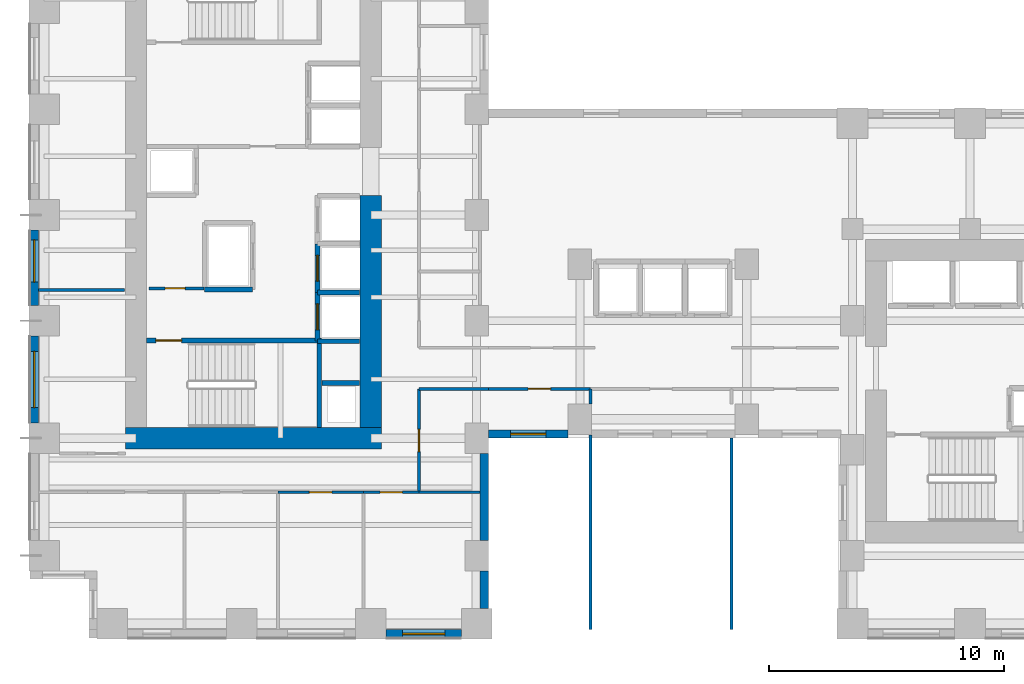
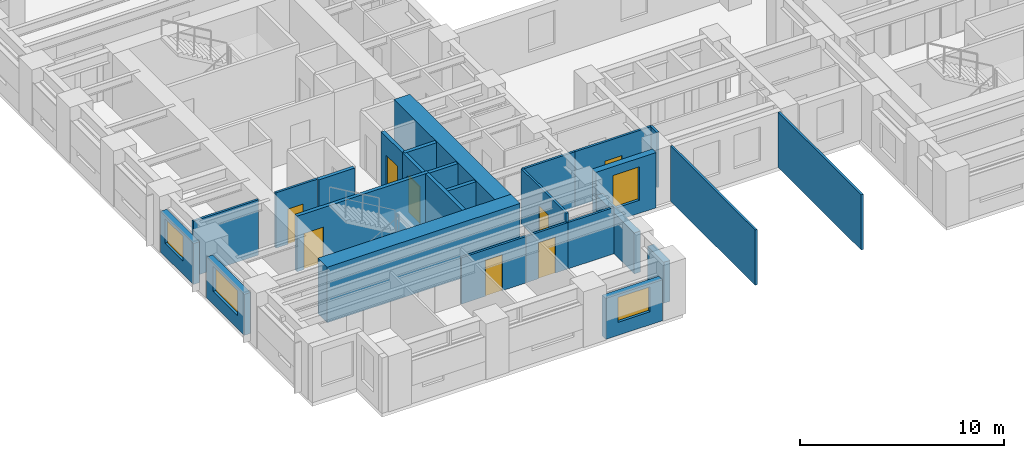
# One storey, part 4 of 11: 27 walls, 8 doors, 4 windows, 12 openings.
"""IFC4 building model written with IfcOpenShell, lengths in metres."""

from ifc_helpers import new_model, si_unit, direction, frame, frame_2d, origin, place, context, subcontext, project, spatial, rectangle, extrude, source, transform, mapped, material, layer, layer_set, type_object, element, fill, save


model = new_model("IFC4")

# Units and contexts
model_context = context("Model", 3, precision=1e-05, world=origin(), true_north=direction((0.0, 1.0)))
body_context = subcontext(model_context, "Body", "Model", "MODEL_VIEW")
ifc_project = project(units=[si_unit("LENGTHUNIT", "METRE"), si_unit("AREAUNIT", "SQUARE_METRE"), si_unit("VOLUMEUNIT", "CUBIC_METRE"), si_unit("PLANEANGLEUNIT", "RADIAN"), si_unit("MASSUNIT", "GRAM", prefix="KILO")], contexts=[model_context])

# Site, building, storey
site_placement = place(None, origin())
site = spatial("IfcSite", under=ifc_project, at=site_placement, CompositionType="ELEMENT")
building_placement = place(site_placement, origin())
building = spatial("IfcBuilding", under=site, at=building_placement, Name="Kharzan Plaza Tower", CompositionType="ELEMENT")
storey_placement = place(building_placement, frame((0.0, 0.0, 69.300048828125)))
storey = spatial("IfcBuildingStorey", under=building, at=storey_placement, Name="L18", CompositionType="ELEMENT", Elevation=69.300048828125)

# Wall, opening, window
ifc_material_1 = material(Name="Concrete C40/50", Category="concrete")
ifc_layer_1 = layer(ifc_material_1, 0.35009765625)
ifc_layer_set_1 = layer_set([ifc_layer_1], Name="Concrete C40/50")
wall_type_1 = type_object("IfcWallType", Name="WL-EXT-MAS-Z1", PredefinedType="SOLIDWALL", material=ifc_layer_set_1)
wall_1_placement = place(storey_placement, frame((0.175048828125, 17.35205078125, 0.0), z_axis=(0.0, 0.0, 1.0), x_axis=(0.0, -1.0, 0.0)))
wall_1 = element("IfcWall", 1, at=wall_1_placement, inside=storey, type_object=wall_type_1, Name="L18 Masonry-Frame Exterior Wall 17", PredefinedType="SOLIDWALL", context=body_context, shape_type="SweptSolid", body=[
    extrude(rectangle(XDim=3.2041015625, YDim=0.35009765625, at=frame_2d((1.60205078125, 0.0))), origin(), (0.0, 0.0, 1.0), 2.449951171875),
])
opening_1_placement = place(wall_1_placement, frame((0.410888671875, 0.0, 0.780029296875)))
opening_1 = element("IfcOpeningElement", 2, at=opening_1_placement, cuts=wall_1, Name="Opening W1", PredefinedType="OPENING", context=body_context, shape_type="SweptSolid", body=[
    extrude(rectangle(XDim=1.800048828125, YDim=1.489990234375, at=frame_2d((0.89990234375, 0.7451171875))), frame((0.0, 0.18505859375, 0.0), z_axis=(0.0, -1.0, 0.0), x_axis=(1.0, 0.0, 0.0)), (0.0, 0.0, 1.0), 0.3701171875),
])
ifc_material_2 = material(Name="Low-E Double Glazing", Category="glass")
window_type_1 = type_object("IfcWindowType", Name="WN-REC-1800x2100", PartitioningType="SINGLE_PANEL", PredefinedType="WINDOW", material=ifc_material_2)
shared_shape_1 = source(origin(), body_context, "Body", "SweptSolid", [
    extrude(rectangle(XDim=1.800048828125, YDim=1.489990234375, at=frame_2d((0.89990234375, 0.7451171875))), frame((0.0, 0.030029296875, 0.0), z_axis=(0.0, -1.0, 0.0), x_axis=(1.0, 0.0, 0.0)), (0.0, 0.0, 1.0), 0.06005859375),
])
window_1_placement = place(opening_1_placement, origin())
window_1 = element("IfcWindow", 3, at=window_1_placement, inside=storey, type_object=window_type_1, Name="L18 Recessed Solar-Control Window 17-1", OverallHeight=1.489990234375, OverallWidth=1.800048828125, PartitioningType="SINGLE_PANEL", PredefinedType="WINDOW", context=body_context, shape_type="MappedRepresentation", body=[
    mapped(shared_shape_1, transform((0.0, 0.0, 0.0), x_axis=(1.0, 0.0, 0.0), y_axis=(0.0, 1.0, 0.0), z_axis=(0.0, 0.0, 1.0))),
])
fill(opening_1, window_1)

wall_2_placement = place(storey_placement, frame((0.175048828125, 12.85205078125, 0.0), z_axis=(0.0, 0.0, 1.0), x_axis=(0.0, -1.0, 0.0)))
wall_2 = element("IfcWall", 4, at=wall_2_placement, inside=storey, type_object=wall_type_1, Name="L18 Masonry-Frame Exterior Wall 18", PredefinedType="SOLIDWALL", context=body_context, shape_type="SweptSolid", body=[
    extrude(rectangle(XDim=3.7041015625, YDim=0.35009765625, at=frame_2d((1.85205078125, 0.0))), origin(), (0.0, 0.0, 1.0), 2.449951171875),
])
opening_2_placement = place(wall_2_placement, frame((0.652099609375, 0.0, 0.780029296875)))
opening_2 = element("IfcOpeningElement", 5, at=opening_2_placement, cuts=wall_2, Name="Opening W2", PredefinedType="OPENING", context=body_context, shape_type="SweptSolid", body=[
    extrude(rectangle(XDim=2.39990234375, YDim=1.489990234375, at=frame_2d((1.199951171875, 0.7451171875))), frame((0.0, 0.18505859375, 0.0), z_axis=(0.0, -1.0, 0.0), x_axis=(1.0, 0.0, 0.0)), (0.0, 0.0, 1.0), 0.3701171875),
])
window_type_2 = type_object("IfcWindowType", Name="WN-REC-2400x2100", PartitioningType="SINGLE_PANEL", PredefinedType="WINDOW", material=ifc_material_2)
shared_shape_2 = source(origin(), body_context, "Body", "SweptSolid", [
    extrude(rectangle(XDim=2.39990234375, YDim=1.489990234375, at=frame_2d((1.199951171875, 0.7451171875))), frame((0.0, 0.030029296875, 0.0), z_axis=(0.0, -1.0, 0.0), x_axis=(1.0, 0.0, 0.0)), (0.0, 0.0, 1.0), 0.06005859375),
])
window_2_placement = place(opening_2_placement, origin())
window_2 = element("IfcWindow", 6, at=window_2_placement, inside=storey, type_object=window_type_2, Name="L18 Wide Recessed Solar-Control Window 18-1", OverallHeight=1.489990234375, OverallWidth=2.39990234375, PartitioningType="SINGLE_PANEL", PredefinedType="WINDOW", context=body_context, shape_type="MappedRepresentation", body=[
    mapped(shared_shape_2, transform((0.0, 0.0, 0.0), x_axis=(1.0, 0.0, 0.0), y_axis=(0.0, 1.0, 0.0), z_axis=(0.0, 0.0, 1.0))),
])
fill(opening_2, window_2)

wall_3_placement = place(storey_placement, frame((15.14794921875, 0.175048828125, 0.0), z_axis=(0.0, 0.0, 1.0), x_axis=(1.0, 0.0, 0.0)))
wall_3 = element("IfcWall", 7, at=wall_3_placement, inside=storey, type_object=wall_type_1, Name="L18 Masonry-Frame Exterior Wall 25", PredefinedType="SOLIDWALL", context=body_context, shape_type="SweptSolid", body=[
    extrude(rectangle(XDim=3.2041015625, YDim=0.35009765625, at=frame_2d((1.60205078125, 0.0))), origin(), (0.0, 0.0, 1.0), 2.449951171875),
])
opening_3_placement = place(wall_3_placement, frame((0.701904296875, 0.0, 0.780029296875)))
opening_3 = element("IfcOpeningElement", 8, at=opening_3_placement, cuts=wall_3, Name="Opening W1", PredefinedType="OPENING", context=body_context, shape_type="SweptSolid", body=[
    extrude(rectangle(XDim=1.800048828125, YDim=1.489990234375, at=frame_2d((0.89990234375, 0.7451171875))), frame((0.0, 0.18505859375, 0.0), z_axis=(0.0, -1.0, 0.0), x_axis=(1.0, 0.0, 0.0)), (0.0, 0.0, 1.0), 0.3701171875),
])
window_3_placement = place(opening_3_placement, origin())
window_3 = element("IfcWindow", 9, at=window_3_placement, inside=storey, type_object=window_type_1, Name="L18 Recessed Solar-Control Window 25-1", OverallHeight=1.489990234375, OverallWidth=1.800048828125, PartitioningType="SINGLE_PANEL", PredefinedType="WINDOW", context=body_context, shape_type="MappedRepresentation", body=[
    mapped(shared_shape_1, transform((0.0, 0.0, 0.0), x_axis=(1.0, 0.0, 0.0), y_axis=(0.0, 1.0, 0.0), z_axis=(0.0, 0.0, 1.0))),
])
fill(opening_3, window_3)

wall_4_placement = place(storey_placement, frame((19.498046875, 8.675048828125, 0.0), z_axis=(0.0, 0.0, 1.0), x_axis=(1.0, 0.0, 0.0)))
wall_4 = element("IfcWall", 10, at=wall_4_placement, inside=storey, type_object=wall_type_1, Name="L18 Masonry-Frame Exterior Wall 28", PredefinedType="SOLIDWALL", context=body_context, shape_type="SweptSolid", body=[
    extrude(rectangle(XDim=3.404052734375, YDim=0.35009765625, at=frame_2d((1.7021484375, 0.0))), origin(), (0.0, 0.0, 1.0), 3.304931640625),
])
opening_4_placement = place(wall_4_placement, frame((0.951904296875, 0.0, 0.780029296875)))
opening_4 = element("IfcOpeningElement", 11, at=opening_4_placement, cuts=wall_4, Name="Opening W5", PredefinedType="OPENING", context=body_context, shape_type="SweptSolid", body=[
    extrude(rectangle(XDim=1.5, YDim=2.0, at=frame_2d((0.75, 1.0))), frame((0.0, 0.18505859375, 0.0), z_axis=(0.0, -1.0, 0.0), x_axis=(1.0, 0.0, 0.0)), (0.0, 0.0, 1.0), 0.3701171875),
])
window_type_3 = type_object("IfcWindowType", Name="WN-SLT-1500x2000", PartitioningType="SINGLE_PANEL", PredefinedType="WINDOW", material=ifc_material_2)
shared_shape_3 = source(origin(), body_context, "Body", "SweptSolid", [
    extrude(rectangle(XDim=1.5, YDim=2.0, at=frame_2d((0.75, 1.0))), frame((0.0, 0.030029296875, 0.0), z_axis=(0.0, -1.0, 0.0), x_axis=(1.0, 0.0, 0.0)), (0.0, 0.0, 1.0), 0.06005859375),
])
window_4_placement = place(opening_4_placement, origin())
window_4 = element("IfcWindow", 12, at=window_4_placement, inside=storey, type_object=window_type_3, Name="L18 Recessed Solar-Control Window 28-1", OverallHeight=2.0, OverallWidth=1.5, PartitioningType="SINGLE_PANEL", PredefinedType="WINDOW", context=body_context, shape_type="MappedRepresentation", body=[
    mapped(shared_shape_3, transform((0.0, 0.0, 0.0), x_axis=(1.0, 0.0, 0.0), y_axis=(0.0, 1.0, 0.0), z_axis=(0.0, 0.0, 1.0))),
])
fill(opening_4, window_4)

# Wall, opening, door
ifc_material_3 = material(Name="Fire-Rated Gypsum Board Partition", Category="gypsum")
ifc_layer_2 = layer(ifc_material_3, 0.125)
ifc_layer_set_2 = layer_set([ifc_layer_2], Name="Fire-Rated Gypsum Board Partition")
wall_type_2 = type_object("IfcWallType", Name="WL-INT-PART-125", PredefinedType="PARTITIONING", material=ifc_layer_set_2)
wall_5_placement = place(storey_placement, frame((5.050048828125, 14.8798828125, 0.0), z_axis=(0.0, 0.0, 1.0), x_axis=(1.0, 0.0, 0.0)))
wall_5 = element("IfcWall", 13, at=wall_5_placement, inside=storey, type_object=wall_type_2, Name="L18 Interior Partition CA-K0", PredefinedType="PARTITIONING", context=body_context, shape_type="SweptSolid", body=[
    extrude(rectangle(XDim=2.349853515625, YDim=0.125, at=frame_2d((1.1748046875, 0.0))), origin(), (0.0, 0.0, 1.0), 3.304931640625),
])
opening_5_placement = place(wall_5_placement, frame((0.699951171875, 0.0, 0.0)))
opening_5 = element("IfcOpeningElement", 14, at=opening_5_placement, cuts=wall_5, Name="Opening RD1", PredefinedType="OPENING", context=body_context, shape_type="SweptSolid", body=[
    extrude(rectangle(XDim=0.85009765625, YDim=2.10009765625, at=frame_2d((0.425048828125, 1.050048828125))), frame((0.0, 0.072509765625, 0.0), z_axis=(0.0, -1.0, 0.0), x_axis=(1.0, 0.0, 0.0)), (0.0, 0.0, 1.0), 0.14501953125),
])
ifc_material_4 = material(Name="Powder-Coated Fire-Rated Steel", Category="steel")
door_type_1 = type_object("IfcDoorType", Name="DR-RISER-900", OperationType="NOTDEFINED", PredefinedType="DOOR", material=ifc_material_4)
shared_shape_4 = source(origin(), body_context, "Body", "SweptSolid", [
    extrude(rectangle(XDim=0.85009765625, YDim=2.10009765625, at=frame_2d((0.425048828125, 1.050048828125))), frame((0.0, 0.02490234375, 0.0), z_axis=(0.0, -1.0, 0.0), x_axis=(1.0, 0.0, 0.0)), (0.0, 0.0, 1.0), 0.050048828125),
])
door_1_placement = place(opening_5_placement, origin())
door_1 = element("IfcDoor", 15, at=door_1_placement, inside=storey, type_object=door_type_1, Name="L18 Cleaners Store Door", OperationType="SINGLE_SWING_LEFT", OverallHeight=2.10009765625, OverallWidth=0.85009765625, PredefinedType="DOOR", context=body_context, shape_type="MappedRepresentation", body=[
    mapped(shared_shape_4, transform((0.0, 0.0, 0.0), x_axis=(1.0, 0.0, 0.0), y_axis=(0.0, 1.0, 0.0), z_axis=(0.0, 0.0, 1.0))),
])
fill(opening_5, door_1)

wall_6_placement = place(storey_placement, frame((16.550048828125, 6.199951171875, 0.0), z_axis=(0.0, 0.0, 1.0), x_axis=(0.0, 1.0, 0.0)))
wall_6 = element("IfcWall", 16, at=wall_6_placement, inside=storey, type_object=wall_type_2, Name="L18 Interior Partition SH-AEWS", PredefinedType="PARTITIONING", context=body_context, shape_type="SweptSolid", body=[
    extrude(rectangle(XDim=4.400146484375, YDim=0.125, at=frame_2d((2.2001953125, 0.0))), origin(), (0.0, 0.0, 1.0), 3.304931640625),
])
opening_6_placement = place(wall_6_placement, frame((1.72509765625, 0.0, 0.0)))
opening_6 = element("IfcOpeningElement", 17, at=opening_6_placement, cuts=wall_6, Name="Opening OD1", PredefinedType="OPENING", context=body_context, shape_type="SweptSolid", body=[
    extrude(rectangle(XDim=0.949951171875, YDim=2.14990234375, at=frame_2d((0.47509765625, 1.074951171875))), frame((0.0, 0.072509765625, 0.0), z_axis=(0.0, -1.0, 0.0), x_axis=(1.0, 0.0, 0.0)), (0.0, 0.0, 1.0), 0.14501953125),
])
ifc_material_5 = material(Name="Acoustic Solid-Core Stained Oak", Category="timber")
door_type_2 = type_object("IfcDoorType", Name="DR-OFF-SINGLE", OperationType="NOTDEFINED", PredefinedType="DOOR", material=ifc_material_5)
shared_shape_5 = source(origin(), body_context, "Body", "SweptSolid", [
    extrude(rectangle(XDim=0.949951171875, YDim=2.14990234375, at=frame_2d((0.47509765625, 1.074951171875))), frame((0.0, 0.02490234375, 0.0), z_axis=(0.0, -1.0, 0.0), x_axis=(1.0, 0.0, 0.0)), (0.0, 0.0, 1.0), 0.050048828125),
])
door_2_placement = place(opening_6_placement, origin())
door_2 = element("IfcDoor", 18, at=door_2_placement, inside=storey, type_object=door_type_2, Name="L18 Slot South Office Door", OperationType="SINGLE_SWING_LEFT", OverallHeight=2.14990234375, OverallWidth=0.949951171875, PredefinedType="DOOR", context=body_context, shape_type="MappedRepresentation", body=[
    mapped(shared_shape_5, transform((0.0, 0.0, 0.0), x_axis=(1.0, 0.0, 0.0), y_axis=(0.0, 1.0, 0.0), z_axis=(0.0, 0.0, 1.0))),
])
fill(opening_6, door_2)

wall_7_placement = place(storey_placement, frame((19.5, 10.60009765625, 0.0), z_axis=(0.0, 0.0, 1.0), x_axis=(1.0, 0.0, 0.0)))
wall_7 = element("IfcWall", 19, at=wall_7_placement, inside=storey, type_object=wall_type_2, Name="L18 Interior Partition SH-SPS1", PredefinedType="PARTITIONING", context=body_context, shape_type="SweptSolid", body=[
    extrude(rectangle(XDim=4.35009765625, YDim=0.125, at=frame_2d((2.175048828125, 0.0))), origin(), (0.0, 0.0, 1.0), 3.304931640625),
])
opening_7_placement = place(wall_7_placement, frame((1.699951171875, 0.0, 0.0)))
opening_7 = element("IfcOpeningElement", 20, at=opening_7_placement, cuts=wall_7, Name="Opening OD1", PredefinedType="OPENING", context=body_context, shape_type="SweptSolid", body=[
    extrude(rectangle(XDim=0.949951171875, YDim=2.14990234375, at=frame_2d((0.47509765625, 1.074951171875))), frame((0.0, 0.072509765625, 0.0), z_axis=(0.0, -1.0, 0.0), x_axis=(1.0, 0.0, 0.0)), (0.0, 0.0, 1.0), 0.14501953125),
])
door_3_placement = place(opening_7_placement, origin())
door_3 = element("IfcDoor", 21, at=door_3_placement, inside=storey, type_object=door_type_2, Name="L18 Spine Studio 1 Door", OperationType="SINGLE_SWING_RIGHT", OverallHeight=2.14990234375, OverallWidth=0.949951171875, PredefinedType="DOOR", context=body_context, shape_type="MappedRepresentation", body=[
    mapped(shared_shape_5, transform((0.0, 0.0, 0.0), x_axis=(1.0, 0.0, 0.0), y_axis=(0.0, 1.0, 0.0), z_axis=(0.0, 0.0, 1.0))),
])
fill(opening_7, door_3)

wall_8_placement = place(storey_placement, frame((10.5439453125, 6.199951171875, 0.0), z_axis=(0.0, 0.0, 1.0), x_axis=(1.0, 0.0, 0.0)))
wall_8 = element("IfcWall", 22, at=wall_8_placement, inside=storey, type_object=wall_type_2, Name="L18 Interior Partition SH-SS-3", PredefinedType="PARTITIONING", context=body_context, shape_type="SweptSolid", body=[
    extrude(rectangle(XDim=3.64111328125, YDim=0.125, at=frame_2d((1.820556640625, 0.0))), origin(), (0.0, 0.0, 1.0), 2.76806640625),
])
opening_8_placement = place(wall_8_placement, frame((1.345458984375, 0.0, 0.0)))
opening_8 = element("IfcOpeningElement", 23, at=opening_8_placement, cuts=wall_8, Name="Opening OD1", PredefinedType="OPENING", context=body_context, shape_type="SweptSolid", body=[
    extrude(rectangle(XDim=0.949951171875, YDim=2.14990234375, at=frame_2d((0.47509765625, 1.074951171875))), frame((0.0, 0.072509765625, 0.0), z_axis=(0.0, -1.0, 0.0), x_axis=(1.0, 0.0, 0.0)), (0.0, 0.0, 1.0), 0.14501953125),
])
door_4_placement = place(opening_8_placement, origin())
door_4 = element("IfcDoor", 24, at=door_4_placement, inside=storey, type_object=door_type_2, Name="L18 Strategy Briefing Room Door", OperationType="SINGLE_SWING_RIGHT", OverallHeight=2.14990234375, OverallWidth=0.949951171875, PredefinedType="DOOR", context=body_context, shape_type="MappedRepresentation", body=[
    mapped(shared_shape_5, transform((0.0, 0.0, 0.0), x_axis=(1.0, 0.0, 0.0), y_axis=(0.0, 1.0, 0.0), z_axis=(0.0, 0.0, 1.0))),
])
fill(opening_8, door_4)

wall_9_placement = place(storey_placement, frame((14.18505859375, 6.199951171875, 0.0), z_axis=(0.0, 0.0, 1.0), x_axis=(1.0, 0.0, 0.0)))
wall_9 = element("IfcWall", 25, at=wall_9_placement, inside=storey, type_object=wall_type_2, Name="L18 Interior Partition SH-SS-4", PredefinedType="PARTITIONING", context=body_context, shape_type="SweptSolid", body=[
    extrude(rectangle(XDim=2.364990234375, YDim=0.125, at=frame_2d((1.1826171875, 0.0))), origin(), (0.0, 0.0, 1.0), 2.76806640625),
])
opening_9_placement = place(wall_9_placement, frame((0.70751953125, 0.0, 0.0)))
opening_9 = element("IfcOpeningElement", 26, at=opening_9_placement, cuts=wall_9, Name="Opening OD1", PredefinedType="OPENING", context=body_context, shape_type="SweptSolid", body=[
    extrude(rectangle(XDim=0.949951171875, YDim=2.14990234375, at=frame_2d((0.47509765625, 1.074951171875))), frame((0.0, 0.072509765625, 0.0), z_axis=(0.0, -1.0, 0.0), x_axis=(1.0, 0.0, 0.0)), (0.0, 0.0, 1.0), 0.14501953125),
])
door_5_placement = place(opening_9_placement, origin())
door_5 = element("IfcDoor", 27, at=door_5_placement, inside=storey, type_object=door_type_2, Name="L18 Executive Boardroom Door", OperationType="SINGLE_SWING_LEFT", OverallHeight=2.14990234375, OverallWidth=0.949951171875, PredefinedType="DOOR", context=body_context, shape_type="MappedRepresentation", body=[
    mapped(shared_shape_5, transform((0.0, 0.0, 0.0), x_axis=(1.0, 0.0, 0.0), y_axis=(0.0, 1.0, 0.0), z_axis=(0.0, 0.0, 1.0))),
])
fill(opening_9, door_5)

ifc_layer_3 = layer(ifc_material_1, 0.199951171875)
ifc_layer_set_3 = layer_set([ifc_layer_3], Name="Concrete C40/50")
wall_type_3 = type_object("IfcWallType", Name="WL-INT-SHAFT-200", PredefinedType="PARTITIONING", material=ifc_layer_set_3)
wall_10_placement = place(storey_placement, frame((12.22998046875, 12.6298828125, 0.0), z_axis=(0.0, 0.0, 1.0), x_axis=(0.0, 1.0, 0.0)))
wall_10 = element("IfcWall", 28, at=wall_10_placement, inside=storey, type_object=wall_type_3, Name="L18 Interior Partition SHF-PL-H1-W", PredefinedType="PARTITIONING", context=body_context, shape_type="SweptSolid", body=[
    extrude(rectangle(XDim=2.070068359375, YDim=0.199951171875, at=frame_2d((1.03515625, 0.0))), origin(), (0.0, 0.0, 1.0), 3.304931640625),
])
opening_10_placement = place(wall_10_placement, frame((0.485107421875, 0.0, 0.0)))
opening_10 = element("IfcOpeningElement", 29, at=opening_10_placement, cuts=wall_10, Name="Opening LD", PredefinedType="OPENING", context=body_context, shape_type="SweptSolid", body=[
    extrude(rectangle(XDim=1.10009765625, YDim=2.199951171875, at=frame_2d((0.550048828125, 1.10009765625))), frame((0.0, 0.10986328125, 0.0), z_axis=(0.0, -1.0, 0.0), x_axis=(1.0, 0.0, 0.0)), (0.0, 0.0, 1.0), 0.219970703125),
])
ifc_material_6 = material(Name="Brushed Stainless Steel", Category="steel")
door_type_3 = type_object("IfcDoorType", Name="DR-LIFT-SLIDE", OperationType="SLIDING_TO_LEFT", PredefinedType="DOOR", material=ifc_material_6)
shared_shape_6 = source(origin(), body_context, "Body", "SweptSolid", [
    extrude(rectangle(XDim=1.10009765625, YDim=2.199951171875, at=frame_2d((0.550048828125, 1.10009765625))), frame((0.0, 0.02490234375, 0.0), z_axis=(0.0, -1.0, 0.0), x_axis=(1.0, 0.0, 0.0)), (0.0, 0.0, 1.0), 0.050048828125),
])
door_6_placement = place(opening_10_placement, origin())
door_6 = element("IfcDoor", 30, at=door_6_placement, inside=storey, type_object=door_type_3, Name="L18 High-Rise Passenger Lift PL-H1 Sliding Landing Door", OperationType="SLIDING_TO_LEFT", OverallHeight=2.199951171875, OverallWidth=1.10009765625, PredefinedType="DOOR", context=body_context, shape_type="MappedRepresentation", body=[
    mapped(shared_shape_6, transform((0.0, 0.0, 0.0), x_axis=(1.0, 0.0, 0.0), y_axis=(0.0, 1.0, 0.0), z_axis=(0.0, 0.0, 1.0))),
])
fill(opening_10, door_6)

wall_11_placement = place(storey_placement, frame((12.22998046875, 14.699951171875, 0.0), z_axis=(0.0, 0.0, 1.0), x_axis=(0.0, 1.0, 0.0)))
wall_11 = element("IfcWall", 31, at=wall_11_placement, inside=storey, type_object=wall_type_3, Name="L18 Interior Partition SHF-PL-H2-W", PredefinedType="PARTITIONING", context=body_context, shape_type="SweptSolid", body=[
    extrude(rectangle(XDim=2.070068359375, YDim=0.199951171875, at=frame_2d((1.03515625, 0.0))), origin(), (0.0, 0.0, 1.0), 3.304931640625),
])
opening_11_placement = place(wall_11_placement, frame((0.485107421875, 0.0, 0.0)))
opening_11 = element("IfcOpeningElement", 32, at=opening_11_placement, cuts=wall_11, Name="Opening LD", PredefinedType="OPENING", context=body_context, shape_type="SweptSolid", body=[
    extrude(rectangle(XDim=1.10009765625, YDim=2.199951171875, at=frame_2d((0.550048828125, 1.10009765625))), frame((0.0, 0.10986328125, 0.0), z_axis=(0.0, -1.0, 0.0), x_axis=(1.0, 0.0, 0.0)), (0.0, 0.0, 1.0), 0.219970703125),
])
door_7_placement = place(opening_11_placement, origin())
door_7 = element("IfcDoor", 33, at=door_7_placement, inside=storey, type_object=door_type_3, Name="L18 High-Rise Passenger Lift PL-H2 Sliding Landing Door", OperationType="SLIDING_TO_LEFT", OverallHeight=2.199951171875, OverallWidth=1.10009765625, PredefinedType="DOOR", context=body_context, shape_type="MappedRepresentation", body=[
    mapped(shared_shape_6, transform((0.0, 0.0, 0.0), x_axis=(1.0, 0.0, 0.0), y_axis=(0.0, 1.0, 0.0), z_axis=(0.0, 0.0, 1.0))),
])
fill(opening_11, door_7)

ifc_material_7 = material(Name="Concrete C50/60", Category="concrete")
ifc_layer_4 = layer(ifc_material_7, 0.199951171875)
ifc_layer_set_4 = layer_set([ifc_layer_4], Name="Concrete C50/60")
wall_type_4 = type_object("IfcWallType", Name="WL-SHAFT-RC200", PredefinedType="SHEAR", material=ifc_layer_set_4)
wall_12_placement = place(storey_placement, frame((4.951904296875, 12.655029296875, 0.0), z_axis=(0.0, 0.0, 1.0), x_axis=(1.0, 0.0, 0.0)))
wall_12 = element("IfcWall", 34, at=wall_12_placement, inside=storey, type_object=wall_type_4, Name="L18 Stair ST-1 North RC Shaft Wall", PredefinedType="SHEAR", context=body_context, shape_type="SweptSolid", body=[
    extrude(rectangle(XDim=7.453125, YDim=0.199951171875, at=frame_2d((3.7265625, 0.0))), origin(), (0.0, 0.0, 1.0), 3.320068359375),
])
opening_12_placement = place(wall_12_placement, frame((0.39990234375, 0.0, 0.0)))
opening_12 = element("IfcOpeningElement", 35, at=opening_12_placement, cuts=wall_12, Name="Opening SD1", PredefinedType="OPENING", context=body_context, shape_type="SweptSolid", body=[
    extrude(rectangle(XDim=1.10009765625, YDim=2.14990234375, at=frame_2d((0.550048828125, 1.074951171875))), frame((0.0, 0.10986328125, 0.0), z_axis=(0.0, -1.0, 0.0), x_axis=(1.0, 0.0, 0.0)), (0.0, 0.0, 1.0), 0.219970703125),
])
ifc_material_8 = material(Name="Fire-Rated Hollow Galvanized Steel", Category="steel")
door_type_4 = type_object("IfcDoorType", Name="DR-STAIR-FD120", OperationType="NOTDEFINED", PredefinedType="DOOR", material=ifc_material_8)
shared_shape_7 = source(origin(), body_context, "Body", "SweptSolid", [
    extrude(rectangle(XDim=1.10009765625, YDim=2.14990234375, at=frame_2d((0.550048828125, 1.074951171875))), frame((0.0, 0.02490234375, 0.0), z_axis=(0.0, -1.0, 0.0), x_axis=(1.0, 0.0, 0.0)), (0.0, 0.0, 1.0), 0.050048828125),
])
door_8_placement = place(opening_12_placement, origin())
door_8 = element("IfcDoor", 36, at=door_8_placement, inside=storey, type_object=door_type_4, Name="L18 Stair ST-1 Fire Exit Door", OperationType="SINGLE_SWING_LEFT", OverallHeight=2.14990234375, OverallWidth=1.10009765625, PredefinedType="DOOR", context=body_context, shape_type="MappedRepresentation", body=[
    mapped(shared_shape_7, transform((0.0, 0.0, 0.0), x_axis=(1.0, 0.0, 0.0), y_axis=(0.0, 1.0, 0.0), z_axis=(0.0, 0.0, 1.0))),
])
fill(opening_12, door_8)

# Walls
ifc_material_9 = material(Name="Concrete C60/75", Category="concrete")
ifc_layer_5 = layer(ifc_material_9, 0.89990234375)
ifc_layer_set_5 = layer_set([ifc_layer_5], Name="Concrete C60/75")
wall_type_5 = type_object("IfcWallType", Name="WL-CORE-900", PredefinedType="SHEAR", material=ifc_layer_set_5)
shared_shape_8 = source(origin(), body_context, "Body", "SweptSolid", [
    extrude(rectangle(XDim=9.8701171875, YDim=0.89990234375, at=frame_2d((4.93505859375, 0.0))), origin(), (0.0, 0.0, 1.0), 3.320068359375),
])
wall_13_placement = place(storey_placement, frame((14.5, 8.949951171875, 0.0), z_axis=(0.0, 0.0, 1.0), x_axis=(0.0, 1.0, 0.0)))
element("IfcWall", 37, at=wall_13_placement, inside=storey, type_object=wall_type_5, Name="L18 CORE-A east shear pier 1", PredefinedType="SHEAR", context=body_context, shape_type="MappedRepresentation", body=[
    mapped(shared_shape_8, transform((0.0, 0.0, 0.0), x_axis=(1.0, 0.0, 0.0), y_axis=(0.0, 1.0, 0.0), z_axis=(0.0, 0.0, 1.0))),
])
shared_shape_9 = source(origin(), body_context, "Body", "SweptSolid", [
    extrude(rectangle(XDim=10.89990234375, YDim=0.89990234375, at=frame_2d((5.449951171875, 0.0))), origin(), (0.0, 0.0, 1.0), 3.320068359375),
])
wall_14_placement = place(storey_placement, frame((4.050048828125, 8.5, 0.0), z_axis=(0.0, 0.0, 1.0), x_axis=(1.0, 0.0, 0.0)))
element("IfcWall", 38, at=wall_14_placement, inside=storey, type_object=wall_type_5, Name="L18 CORE-A south RC shear wall", PredefinedType="SHEAR", context=body_context, shape_type="MappedRepresentation", body=[
    mapped(shared_shape_9, transform((0.0, 0.0, 0.0), x_axis=(1.0, 0.0, 0.0), y_axis=(0.0, 1.0, 0.0), z_axis=(0.0, 0.0, 1.0))),
])
shared_shape_10 = source(origin(), body_context, "Body", "SweptSolid", [
    extrude(rectangle(XDim=1.60400390625, YDim=0.35009765625, at=frame_2d((0.802001953125, 0.0))), origin(), (0.0, 0.0, 1.0), 2.449951171875),
])
wall_15_placement = place(storey_placement, frame((19.324951171875, 1.248046875, 0.0), z_axis=(0.0, 0.0, 1.0), x_axis=(0.0, 1.0, 0.0)))
element("IfcWall", 39, at=wall_15_placement, inside=storey, type_object=wall_type_1, Name="L18 Masonry-Frame Exterior Wall 26", PredefinedType="SOLIDWALL", context=body_context, shape_type="MappedRepresentation", body=[
    mapped(shared_shape_10, transform((0.0, 0.0, 0.0), x_axis=(1.0, 0.0, 0.0), y_axis=(0.0, 1.0, 0.0), z_axis=(0.0, 0.0, 1.0))),
])
shared_shape_11 = source(origin(), body_context, "Body", "SweptSolid", [
    extrude(rectangle(XDim=3.7041015625, YDim=0.35009765625, at=frame_2d((1.85205078125, 0.0))), origin(), (0.0, 0.0, 1.0), 2.449951171875),
])
wall_16_placement = place(storey_placement, frame((19.324951171875, 4.14794921875, 0.0), z_axis=(0.0, 0.0, 1.0), x_axis=(0.0, 1.0, 0.0)))
element("IfcWall", 40, at=wall_16_placement, inside=storey, type_object=wall_type_1, Name="L18 Masonry-Frame Exterior Wall 27", PredefinedType="SOLIDWALL", context=body_context, shape_type="MappedRepresentation", body=[
    mapped(shared_shape_11, transform((0.0, 0.0, 0.0), x_axis=(1.0, 0.0, 0.0), y_axis=(0.0, 1.0, 0.0), z_axis=(0.0, 0.0, 1.0))),
])
shared_shape_12 = source(origin(), body_context, "Body", "SweptSolid", [
    extrude(rectangle(XDim=2.597900390625, YDim=0.125, at=frame_2d((1.298828125, 0.0))), origin(), (0.0, 0.0, 1.0), 2.76806640625),
])
wall_17_placement = place(storey_placement, frame((16.550048828125, 6.199951171875, 0.0), z_axis=(0.0, 0.0, 1.0), x_axis=(1.0, 0.0, 0.0)))
element("IfcWall", 41, at=wall_17_placement, inside=storey, type_object=wall_type_2, Name="L18 Interior Partition SH-SSE-4", PredefinedType="PARTITIONING", context=body_context, shape_type="MappedRepresentation", body=[
    mapped(shared_shape_12, transform((0.0, 0.0, 0.0), x_axis=(1.0, 0.0, 0.0), y_axis=(0.0, 1.0, 0.0), z_axis=(0.0, 0.0, 1.0))),
])
shared_shape_13 = source(origin(), body_context, "Body", "SweptSolid", [
    extrude(rectangle(XDim=2.949951171875, YDim=0.125, at=frame_2d((1.47509765625, 0.0))), origin(), (0.0, 0.0, 1.0), 3.304931640625),
])
wall_18_placement = place(storey_placement, frame((16.550048828125, 10.60009765625, 0.0), z_axis=(0.0, 0.0, 1.0), x_axis=(1.0, 0.0, 0.0)))
element("IfcWall", 42, at=wall_18_placement, inside=storey, type_object=wall_type_2, Name="L18 Interior Partition SH-SPS0", PredefinedType="PARTITIONING", context=body_context, shape_type="MappedRepresentation", body=[
    mapped(shared_shape_13, transform((0.0, 0.0, 0.0), x_axis=(1.0, 0.0, 0.0), y_axis=(0.0, 1.0, 0.0), z_axis=(0.0, 0.0, 1.0))),
])
shared_shape_14 = source(origin(), body_context, "Body", "SweptSolid", [
    extrude(rectangle(XDim=8.289794921875, YDim=0.125, at=frame_2d((4.14501953125, 0.0))), origin(), (0.0, 0.0, 1.0), 3.304931640625),
])
wall_19_placement = place(storey_placement, frame((23.85009765625, 0.35009765625, 0.0), z_axis=(0.0, 0.0, 1.0), x_axis=(0.0, 1.0, 0.0)))
element("IfcWall", 43, at=wall_19_placement, inside=storey, type_object=wall_type_2, Name="L18 Interior Partition SH-SPSV1-S1", PredefinedType="PARTITIONING", context=body_context, shape_type="MappedRepresentation", body=[
    mapped(shared_shape_14, transform((0.0, 0.0, 0.0), x_axis=(1.0, 0.0, 0.0), y_axis=(0.0, 1.0, 0.0), z_axis=(0.0, 0.0, 1.0))),
])
shared_shape_15 = source(origin(), body_context, "Body", "SweptSolid", [
    extrude(rectangle(XDim=0.64013671875, YDim=0.125, at=frame_2d((0.320068359375, 0.0))), origin(), (0.0, 0.0, 1.0), 3.304931640625),
])
wall_20_placement = place(storey_placement, frame((23.85009765625, 9.9599609375, 0.0), z_axis=(0.0, 0.0, 1.0), x_axis=(0.0, 1.0, 0.0)))
element("IfcWall", 44, at=wall_20_placement, inside=storey, type_object=wall_type_2, Name="L18 Interior Partition SH-SPSV1-S2", PredefinedType="PARTITIONING", context=body_context, shape_type="MappedRepresentation", body=[
    mapped(shared_shape_15, transform((0.0, 0.0, 0.0), x_axis=(1.0, 0.0, 0.0), y_axis=(0.0, 1.0, 0.0), z_axis=(0.0, 0.0, 1.0))),
])
shared_shape_16 = source(origin(), body_context, "Body", "SweptSolid", [
    extrude(rectangle(XDim=8.14794921875, YDim=0.125, at=frame_2d((4.073974609375, 0.0))), origin(), (0.0, 0.0, 1.0), 3.304931640625),
])
wall_21_placement = place(storey_placement, frame((29.85009765625, 0.35009765625, 0.0), z_axis=(0.0, 0.0, 1.0), x_axis=(0.0, 1.0, 0.0)))
element("IfcWall", 45, at=wall_21_placement, inside=storey, type_object=wall_type_2, Name="L18 Interior Partition SH-SPSV2-S1", PredefinedType="PARTITIONING", context=body_context, shape_type="MappedRepresentation", body=[
    mapped(shared_shape_16, transform((0.0, 0.0, 0.0), x_axis=(1.0, 0.0, 0.0), y_axis=(0.0, 1.0, 0.0), z_axis=(0.0, 0.0, 1.0))),
])
shared_shape_17 = source(origin(), body_context, "Body", "SweptSolid", [
    extrude(rectangle(XDim=3.66796875, YDim=0.125, at=frame_2d((1.833984375, 0.0))), origin(), (0.0, 0.0, 1.0), 3.304931640625),
])
wall_22_placement = place(storey_placement, frame((0.35205078125, 14.800048828125, 0.0), z_axis=(0.0, 0.0, 1.0), x_axis=(1.0, 0.0, 0.0)))
element("IfcWall", 46, at=wall_22_placement, inside=storey, type_object=wall_type_2, Name="L18 Interior Partition SH-WMID", PredefinedType="PARTITIONING", context=body_context, shape_type="MappedRepresentation", body=[
    mapped(shared_shape_17, transform((0.0, 0.0, 0.0), x_axis=(1.0, 0.0, 0.0), y_axis=(0.0, 1.0, 0.0), z_axis=(0.0, 0.0, 1.0))),
])
shared_shape_18 = source(origin(), body_context, "Body", "SweptSolid", [
    extrude(rectangle(XDim=1.60009765625, YDim=0.199951171875, at=frame_2d((0.800048828125, 0.0))), origin(), (0.0, 0.0, 1.0), 3.304931640625),
])
wall_23_placement = place(storey_placement, frame((12.419921875, 10.85009765625, 0.0), z_axis=(0.0, 0.0, 1.0), x_axis=(1.0, 0.0, 0.0)))
element("IfcWall", 47, at=wall_23_placement, inside=storey, type_object=wall_type_3, Name="L18 Interior Partition CA-RSRA-N", PredefinedType="PARTITIONING", context=body_context, shape_type="MappedRepresentation", body=[
    mapped(shared_shape_18, transform((0.0, 0.0, 0.0), x_axis=(1.0, 0.0, 0.0), y_axis=(0.0, 1.0, 0.0), z_axis=(0.0, 0.0, 1.0))),
])
shared_shape_19 = source(origin(), body_context, "Body", "SweptSolid", [
    extrude(rectangle(XDim=1.7900390625, YDim=0.199951171875, at=frame_2d((0.89501953125, 0.0))), origin(), (0.0, 0.0, 1.0), 3.304931640625),
])
for number, where, z_axis, x_axis, name in (
    (48, (12.22998046875, 14.699951171875, 0.0), (0.0, 0.0, 1.0), (1.0, 0.0, 0.0), "L18 Interior Partition SHF-PL-H1-N"),
    (49, (12.22998046875, 12.6298828125, 0.0), (0.0, 0.0, 1.0), (1.0, 0.0, 0.0), "L18 Interior Partition SHF-PL-H1-S"),
):
    element("IfcWall", number, at=place(storey_placement, frame(where, z_axis=z_axis, x_axis=x_axis)), inside=storey, type_object=wall_type_3, Name=name, PredefinedType="PARTITIONING", context=body_context, shape_type="MappedRepresentation", body=[
        mapped(shared_shape_19, transform((0.0, 0.0, 0.0), x_axis=(1.0, 0.0, 0.0), y_axis=(0.0, 1.0, 0.0), z_axis=(0.0, 0.0, 1.0))),
    ])
shared_shape_20 = source(origin(), body_context, "Body", "SweptSolid", [
    extrude(rectangle(XDim=2.0400390625, YDim=0.199951171875, at=frame_2d((1.02001953125, 0.0))), origin(), (0.0, 0.0, 1.0), 3.304931640625),
])
wall_24_placement = place(storey_placement, frame((7.429931640625, 14.830078125, 0.0), z_axis=(0.0, 0.0, 1.0), x_axis=(1.0, 0.0, 0.0)))
element("IfcWall", 50, at=wall_24_placement, inside=storey, type_object=wall_type_3, Name="L18 Interior Partition SHF-SVL-1-S", PredefinedType="PARTITIONING", context=body_context, shape_type="MappedRepresentation", body=[
    mapped(shared_shape_20, transform((0.0, 0.0, 0.0), x_axis=(1.0, 0.0, 0.0), y_axis=(0.0, 1.0, 0.0), z_axis=(0.0, 0.0, 1.0))),
])
shared_shape_21 = source(origin(), body_context, "Body", "SweptSolid", [
    extrude(rectangle(XDim=3.60302734375, YDim=0.199951171875, at=frame_2d((1.801513671875, 0.0))), origin(), (0.0, 0.0, 1.0), 3.320068359375),
])
wall_25_placement = place(storey_placement, frame((12.304931640625, 8.951904296875, 0.0), z_axis=(0.0, 0.0, 1.0), x_axis=(0.0, 1.0, 0.0)))
element("IfcWall", 51, at=wall_25_placement, inside=storey, type_object=wall_type_4, Name="L18 Stair ST-1 East RC Shaft Wall", PredefinedType="SHEAR", context=body_context, shape_type="MappedRepresentation", body=[
    mapped(shared_shape_21, transform((0.0, 0.0, 0.0), x_axis=(1.0, 0.0, 0.0), y_axis=(0.0, 1.0, 0.0), z_axis=(0.0, 0.0, 1.0))),
])

save(model, "model.ifc")
